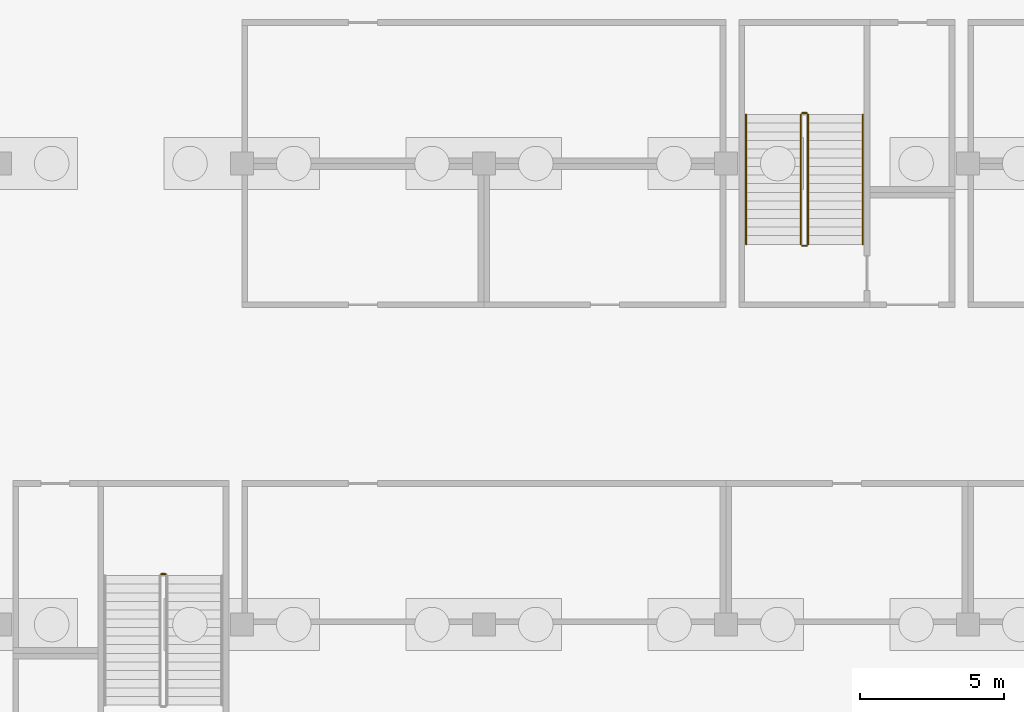
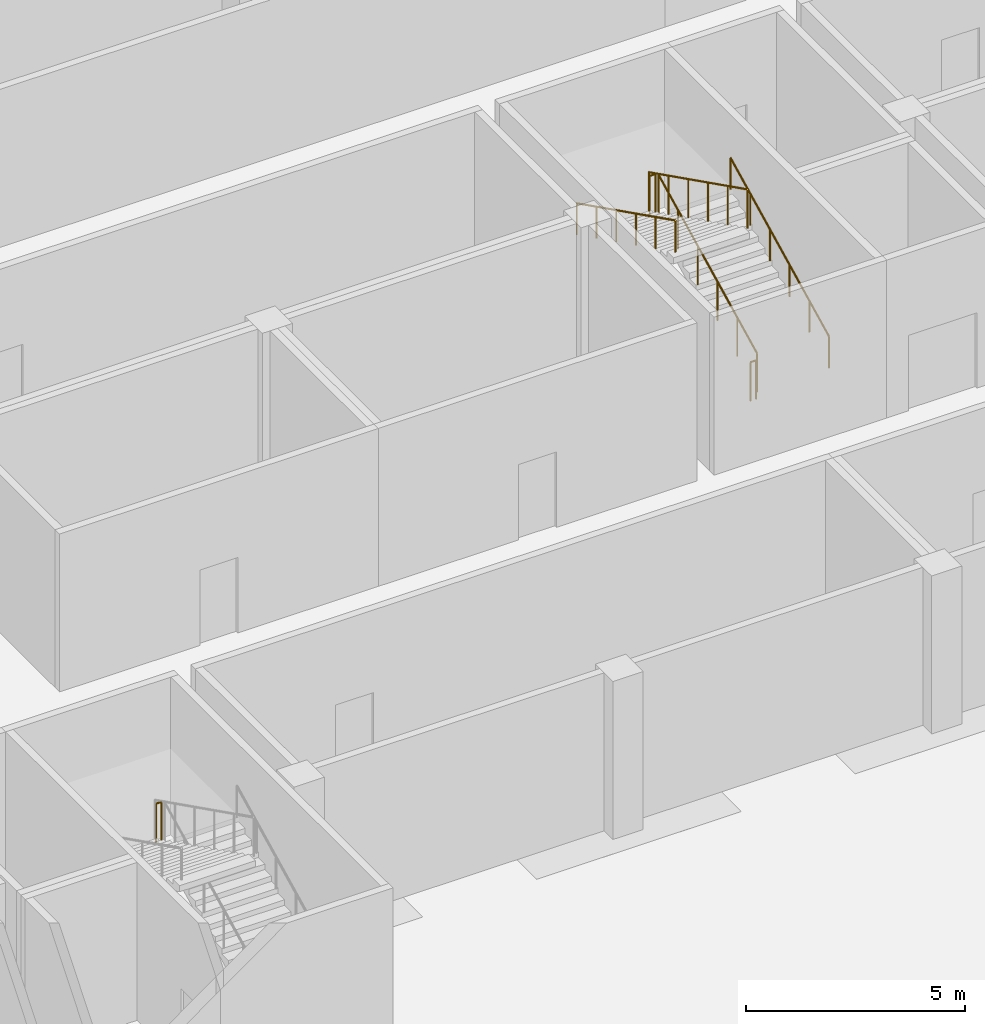
# One storey, part 44 of 46: 7 railings.
"""IFC4 building model written with IfcOpenShell, lengths in metres."""

from ifc_helpers import new_model, si_unit, direction, frame, origin, origin_2d, place, context, subcontext, project, spatial, circle, extrude, material, type_object, element, save


model = new_model("IFC4")

# Units and contexts
model_context = context("Model", 3, precision=1e-05, world=origin(), true_north=direction((0.0, 1.0)))
body_context = subcontext(model_context, "Body", "Model", "MODEL_VIEW")
ifc_project = project(units=[si_unit("LENGTHUNIT", "METRE"), si_unit("AREAUNIT", "SQUARE_METRE"), si_unit("VOLUMEUNIT", "CUBIC_METRE"), si_unit("PLANEANGLEUNIT", "RADIAN"), si_unit("MASSUNIT", "GRAM", prefix="KILO")], contexts=[model_context])

# Site, building, storey
site_placement = place(None, origin())
site = spatial("IfcSite", under=ifc_project, at=site_placement, CompositionType="ELEMENT")
building_placement = place(site_placement, origin())
building = spatial("IfcBuilding", under=site, at=building_placement, Name="Tamra Quay Hotel Tower", CompositionType="ELEMENT")
storey_placement = place(building_placement, frame((0.0, 0.0, -12.0)))
storey = spatial("IfcBuildingStorey", under=building, at=storey_placement, Name="B3", CompositionType="ELEMENT", Elevation=-12.0)

# Railings
ifc_material_1 = material(Name="Basement stair guard 1100")
railing_type_1 = type_object("IfcRailingType", Name="Basement stair guard 1100", PredefinedType="GUARDRAIL", material=ifc_material_1)
railing_1_placement = place(storey_placement, frame((-19.050048828125, 61.199951171875, 0.14990234375)))
element("IfcRailing", 1, at=railing_1_placement, inside=storey, type_object=railing_type_1, Name="BSG", PredefinedType="GUARDRAIL", context=body_context, shape_type="SweptSolid", body=[
    extrude(circle(Radius=0.02392578125, at=origin_2d()), frame((0.0, 0.0, 1.076171875), z_axis=(0.0, 0.894427191, 0.4472135955), x_axis=(-1.0, 0.0, 0.0)), (0.0, 0.0, 1.0), 5.03125),
    extrude(circle(Radius=0.02099609375, at=origin_2d()), origin(), (0.0, 0.0, 1.0), 1.052001953125),
    extrude(circle(Radius=0.02099609375, at=origin_2d()), frame((0.0, 0.89990234375, 0.449951171875)), (0.0, 0.0, 1.0), 1.052001953125),
    extrude(circle(Radius=0.02099609375, at=origin_2d()), frame((0.0, 1.800048828125, 0.89990234375)), (0.0, 0.0, 1.0), 1.052001953125),
    extrude(circle(Radius=0.02099609375, at=origin_2d()), frame((0.0, 2.699951171875, 1.35009765625)), (0.0, 0.0, 1.0), 1.052001953125),
    extrude(circle(Radius=0.02099609375, at=origin_2d()), frame((0.0, 3.60009765625, 1.800048828125)), (0.0, 0.0, 1.0), 1.052001953125),
    extrude(circle(Radius=0.02099609375, at=origin_2d()), frame((0.0, 4.5, 2.25)), (0.0, 0.0, 1.0), 1.052001953125),
])
railing_2_placement = place(storey_placement, frame((-19.10009765625, 65.75, 2.39990234375)))
element("IfcRailing", 2, at=railing_2_placement, inside=storey, type_object=railing_type_1, Name="BSG", PredefinedType="GUARDRAIL", context=body_context, shape_type="SweptSolid", body=[
    extrude(circle(Radius=0.02392578125, at=origin_2d()), frame((0.0, 0.0, 1.076171875), z_axis=(-1.0, 0.0, 0.0), x_axis=(0.0, -1.0, 0.0)), (0.0, 0.0, 1.0), 0.14990234375),
    extrude(circle(Radius=0.02099609375, at=origin_2d()), origin(), (0.0, 0.0, 1.0), 1.052001953125),
    extrude(circle(Radius=0.02099609375, at=origin_2d()), frame((-0.14990234375, 0.0, 0.0)), (0.0, 0.0, 1.0), 1.052001953125),
])
railing_3_placement = place(storey_placement, frame((-19.300048828125, 65.699951171875, 2.550048828125)))
element("IfcRailing", 3, at=railing_3_placement, inside=storey, type_object=railing_type_1, Name="BSG", PredefinedType="GUARDRAIL", context=body_context, shape_type="SweptSolid", body=[
    extrude(circle(Radius=0.02392578125, at=origin_2d()), frame((0.0, 0.0, 1.076171875), z_axis=(0.0, -0.894427191, 0.4472135955), x_axis=(1.0, 0.0, 0.0)), (0.0, 0.0, 1.0), 5.03125),
    extrude(circle(Radius=0.02099609375, at=origin_2d()), origin(), (0.0, 0.0, 1.0), 1.052001953125),
    extrude(circle(Radius=0.02099609375, at=origin_2d()), frame((0.0, -0.89990234375, 0.449951171875)), (0.0, 0.0, 1.0), 1.052001953125),
    extrude(circle(Radius=0.02099609375, at=origin_2d()), frame((0.0, -1.800048828125, 0.89990234375)), (0.0, 0.0, 1.0), 1.052001953125),
    extrude(circle(Radius=0.02099609375, at=origin_2d()), frame((0.0, -2.699951171875, 1.35009765625)), (0.0, 0.0, 1.0), 1.052001953125),
    extrude(circle(Radius=0.02099609375, at=origin_2d()), frame((0.0, -3.60009765625, 1.800048828125)), (0.0, 0.0, 1.0), 1.052001953125),
    extrude(circle(Radius=0.02099609375, at=origin_2d()), frame((0.0, -4.5, 2.25)), (0.0, 0.0, 1.0), 1.052001953125),
])
for number, where, name in (
    (4, (-19.10009765625, 61.14990234375, 0.0), "BSG"),
    (5, (-41.35009765625, 49.75, 2.39990234375), "BSG"),
):
    element("IfcRailing", number, at=place(storey_placement, frame(where)), inside=storey, type_object=railing_type_1, Name=name, PredefinedType="GUARDRAIL", context=body_context, shape_type="SweptSolid", body=[
        extrude(circle(Radius=0.02392578125, at=origin_2d()), frame((0.0, 0.0, 1.076171875), z_axis=(-1.0, 0.0, 0.0), x_axis=(0.0, -1.0, 0.0)), (0.0, 0.0, 1.0), 0.14990234375),
        extrude(circle(Radius=0.02099609375, at=origin_2d()), origin(), (0.0, 0.0, 1.0), 1.052001953125),
        extrude(circle(Radius=0.02099609375, at=origin_2d()), frame((-0.14990234375, 0.0, 0.0)), (0.0, 0.0, 1.0), 1.052001953125),
    ])
ifc_material_2 = material(Name="Basement stair handrail 900")
railing_type_2 = type_object("IfcRailingType", Name="Basement stair handrail 900", PredefinedType="HANDRAIL", material=ifc_material_2)
railing_4_placement = place(storey_placement, frame((-17.14990234375, 61.199951171875, 0.14990234375)))
element("IfcRailing", 6, at=railing_4_placement, inside=storey, type_object=railing_type_2, Name="BSH", PredefinedType="HANDRAIL", context=body_context, shape_type="SweptSolid", body=[
    extrude(circle(Radius=0.02392578125, at=origin_2d()), frame((0.0, 0.0, 0.8759765625), z_axis=(0.0, 0.894427191, 0.4472135955), x_axis=(-1.0, 0.0, 0.0)), (0.0, 0.0, 1.0), 5.03125),
    extrude(circle(Radius=0.02099609375, at=origin_2d()), origin(), (0.0, 0.0, 1.0), 0.851806640625),
    extrude(circle(Radius=0.02099609375, at=origin_2d()), frame((0.0, 0.89990234375, 0.449951171875)), (0.0, 0.0, 1.0), 0.851806640625),
    extrude(circle(Radius=0.02099609375, at=origin_2d()), frame((0.0, 1.800048828125, 0.89990234375)), (0.0, 0.0, 1.0), 0.851806640625),
    extrude(circle(Radius=0.02099609375, at=origin_2d()), frame((0.0, 2.699951171875, 1.35009765625)), (0.0, 0.0, 1.0), 0.851806640625),
    extrude(circle(Radius=0.02099609375, at=origin_2d()), frame((0.0, 3.60009765625, 1.800048828125)), (0.0, 0.0, 1.0), 0.851806640625),
    extrude(circle(Radius=0.02099609375, at=origin_2d()), frame((0.0, 4.5, 2.25)), (0.0, 0.0, 1.0), 0.851806640625),
])
railing_5_placement = place(storey_placement, frame((-21.199951171875, 65.699951171875, 2.550048828125)))
element("IfcRailing", 7, at=railing_5_placement, inside=storey, type_object=railing_type_2, Name="BSH", PredefinedType="HANDRAIL", context=body_context, shape_type="SweptSolid", body=[
    extrude(circle(Radius=0.02392578125, at=origin_2d()), frame((0.0, 0.0, 0.8759765625), z_axis=(0.0, -0.894427191, 0.4472135955), x_axis=(1.0, 0.0, 0.0)), (0.0, 0.0, 1.0), 5.03125),
    extrude(circle(Radius=0.02099609375, at=origin_2d()), origin(), (0.0, 0.0, 1.0), 0.851806640625),
    extrude(circle(Radius=0.02099609375, at=origin_2d()), frame((0.0, -0.89990234375, 0.449951171875)), (0.0, 0.0, 1.0), 0.851806640625),
    extrude(circle(Radius=0.02099609375, at=origin_2d()), frame((0.0, -1.800048828125, 0.89990234375)), (0.0, 0.0, 1.0), 0.851806640625),
    extrude(circle(Radius=0.02099609375, at=origin_2d()), frame((0.0, -2.699951171875, 1.35009765625)), (0.0, 0.0, 1.0), 0.851806640625),
    extrude(circle(Radius=0.02099609375, at=origin_2d()), frame((0.0, -3.60009765625, 1.800048828125)), (0.0, 0.0, 1.0), 0.851806640625),
    extrude(circle(Radius=0.02099609375, at=origin_2d()), frame((0.0, -4.5, 2.25)), (0.0, 0.0, 1.0), 0.851806640625),
])

save(model, "model.ifc")
